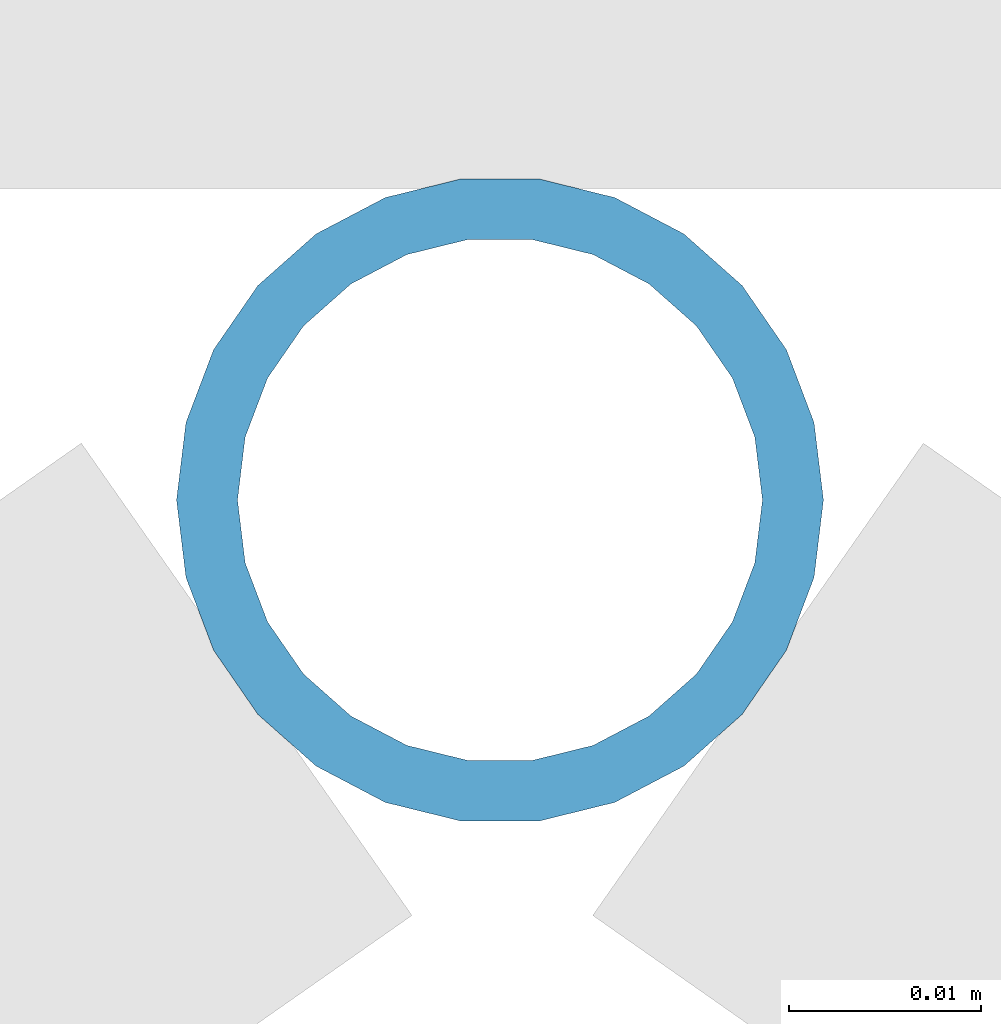
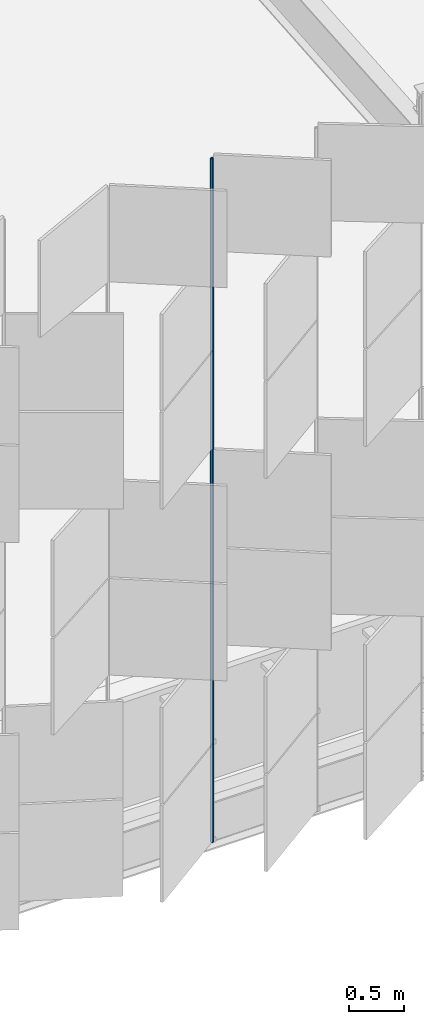
# One storey, part 233 of 483: 1 discrete accessory.
"""IFC4 building model written with IfcOpenShell, lengths in metres."""

from ifc_helpers import new_model, si_unit, direction, frame, origin, origin_2d, place, context, subcontext, project, spatial, hollow_circle, extrude, material, material_profile, profile_set, type_object, element, save


model = new_model("IFC4")

# Units and contexts
model_context = context("Model", 3, precision=1e-05, world=origin(), true_north=direction((0.0, 1.0)))
body_context = subcontext(model_context, "Body", "Model", "MODEL_VIEW")
ifc_project = project(units=[si_unit("LENGTHUNIT", "METRE"), si_unit("AREAUNIT", "SQUARE_METRE"), si_unit("VOLUMEUNIT", "CUBIC_METRE"), si_unit("PLANEANGLEUNIT", "RADIAN"), si_unit("MASSUNIT", "GRAM", prefix="KILO")], contexts=[model_context])

# Site, building, storey
site_placement = place(None, origin())
site = spatial("IfcSite", under=ifc_project, at=site_placement, CompositionType="ELEMENT")
building_placement = place(site_placement, origin())
building = spatial("IfcBuilding", under=site, at=building_placement, Name="Parallax Yard Mobility Hub", CompositionType="ELEMENT")
storey_placement = place(building_placement, frame((0.0, 0.0, 13.199951171875)))
storey = spatial("IfcBuildingStorey", under=building, at=storey_placement, Name="L04", CompositionType="ELEMENT", Elevation=13.199951171875)

# Discrete accessory
ifc_material = material(Name="Steel ASTM A500 Gr C, hot-dip galvanised", Category="steel")
ifc_material_profile = material_profile(ifc_material, hollow_circle(Radius=0.016845703125, WallThickness=0.003173828125, at=origin_2d()), Name="CHS 33.7x3.2")
ifc_profile_set = profile_set([ifc_material_profile], Name="Steel ASTM A500 Gr C, hot-dip galvanised")
discrete_accessory_type = type_object("IfcDiscreteAccessoryType", Name="Hinge post CHS 33.7x3.2", PredefinedType="BRACKET", material=ifc_profile_set)
discrete_accessory_placement = place(storey_placement, frame((168.208984375, 111.6767578125, 0.0), z_axis=(0.0, 0.0, 1.0), x_axis=(1.0, 0.0, 0.0)))
element("IfcDiscreteAccessory", 1, at=discrete_accessory_placement, inside=storey, type_object=discrete_accessory_type, Name="Hinge post bay 17.4 level L04", PredefinedType="BRACKET", context=body_context, shape_type="SweptSolid", body=[
    extrude(hollow_circle(Radius=0.016845703125, WallThickness=0.003173828125, at=origin_2d()), origin(), (0.0, 0.0, 1.0), 7.650146484375),
])

save(model, "model.ifc")
